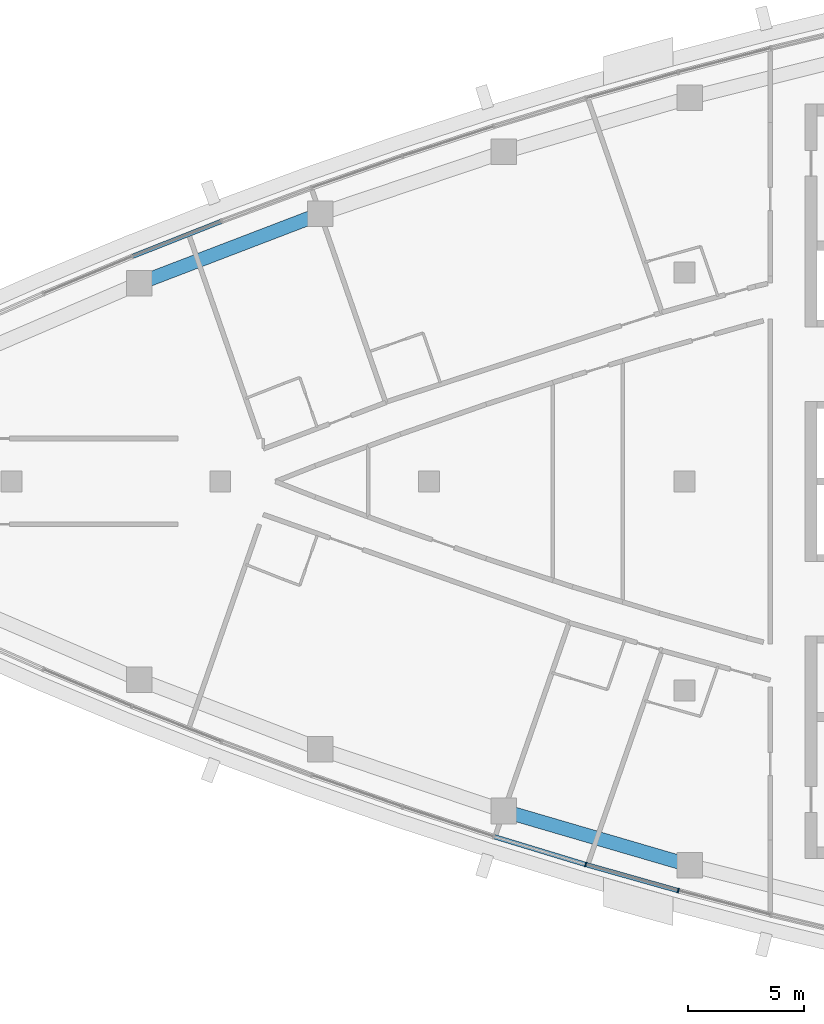
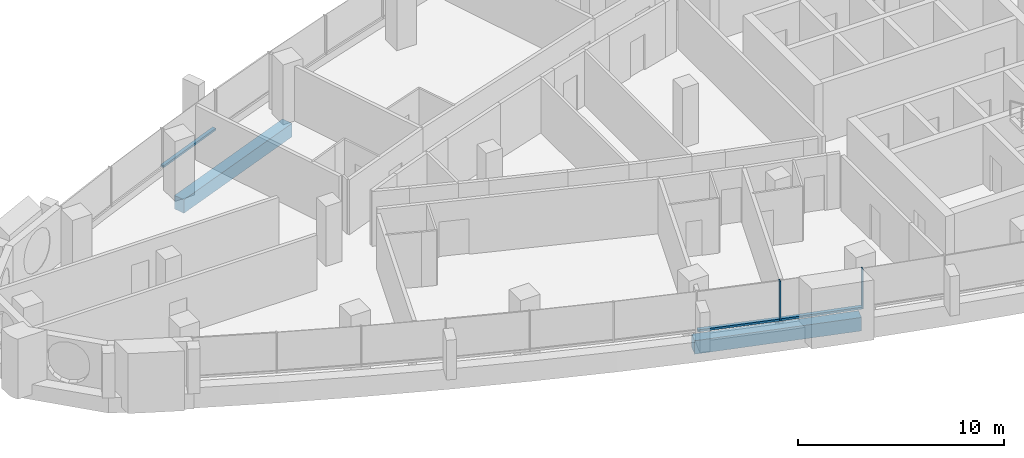
# One storey, part 3 of 14: 5 members, 2 beams, 2 elements without a shape of their own.
"""IFC4 building model written with IfcOpenShell, lengths in metres."""

from ifc_helpers import new_model, si_unit, direction, frame, origin, origin_2d, place, context, subcontext, project, spatial, rectangle, extrude, material, layer, layer_set, material_profile, profile_set, type_object, element, aggregate, save


model = new_model("IFC4")

# Units and contexts
model_context = context("Model", 3, precision=1e-05, world=origin(), true_north=direction((0.0, 1.0)))
body_context = subcontext(model_context, "Body", "Model", "MODEL_VIEW")
ifc_project = project(units=[si_unit("LENGTHUNIT", "METRE"), si_unit("AREAUNIT", "SQUARE_METRE"), si_unit("VOLUMEUNIT", "CUBIC_METRE"), si_unit("PLANEANGLEUNIT", "RADIAN"), si_unit("MASSUNIT", "GRAM", prefix="KILO")], contexts=[model_context])

# Site, building, storey
site_placement = place(None, origin())
site = spatial("IfcSite", under=ifc_project, at=site_placement, CompositionType="ELEMENT")
building_placement = place(site_placement, origin())
building = spatial("IfcBuilding", under=site, at=building_placement, Name="Ostrand Prow Hotel Tower", CompositionType="ELEMENT")
storey_placement = place(building_placement, frame((0.0, 0.0, 267.89990234375)))
storey = spatial("IfcBuildingStorey", under=building, at=storey_placement, Name="L67", CompositionType="ELEMENT", Elevation=267.89990234375)

# Beams
ifc_material_1 = material(Name="Concrete C50/60", Category="concrete")
ifc_material_profile_1 = material_profile(ifc_material_1, rectangle(XDim=0.60009765625, YDim=0.800048828125, at=origin_2d()), Name="RC 600x800")
ifc_profile_set_1 = profile_set([ifc_material_profile_1], Name="Concrete C50/60")
beam_type = type_object("IfcBeamType", Name="Edge beam 600x800 C50/60", PredefinedType="SPANDREL", material=ifc_profile_set_1)
for number, where, z_axis, x_axis, name in (
    (1, (37.22119140625, -14.19580078125, -0.699951171875), (0.959821966031, -0.280609681809, 0.0), (0.280609681809, 0.959821966031, 0.0), "Edge beam S4-S5"),
    (2, (29.31005859375, 11.528076171875, -0.699951171875), (-0.933761753797, -0.357895218111, 0.0), (0.357895218111, -0.933761753797, 0.0), "Edge beam N4-N5"),
):
    element("IfcBeam", number, at=place(storey_placement, frame(where, z_axis=z_axis, x_axis=x_axis)), inside=storey, type_object=beam_type, Name=name, PredefinedType="SPANDREL", context=body_context, shape_type="SweptSolid", body=[
        extrude(rectangle(XDim=0.60009765625, YDim=0.800048828125, at=origin_2d()), origin(), (0.0, 0.0, 1.0), 8.348876953125),
    ])

# Curtain wall, members
ifc_material_2 = material(Name="Insulated glass in bronze anodised frame", Category="glass")
ifc_layer = layer(ifc_material_2, 0.199951171875)
ifc_layer_set = layer_set([ifc_layer], Name="Insulated glass in bronze anodised frame")
curtain_wall_type = type_object("IfcCurtainWallType", Name="Strip curtain wall, fritted glass over bronze spandrel", PredefinedType="NOTDEFINED", material=ifc_layer_set)
curtain_wall_1_placement = place(storey_placement, origin())
curtain_wall_1 = element("IfcCurtainWall", 3, at=curtain_wall_1_placement, inside=storey, type_object=curtain_wall_type, Name="CW1 run CWS4", PredefinedType="NOTDEFINED")
ifc_material_3 = material(Name="Bronze anodised aluminium", Category="aluminium")
ifc_material_profile_2 = material_profile(ifc_material_3, rectangle(XDim=0.199951171875, YDim=0.06005859375, at=origin_2d()), Name="Mullion 60x200 bronze anodised aluminium")
ifc_profile_set_2 = profile_set([ifc_material_profile_2], Name="Bronze anodised aluminium")
member_type_1 = type_object("IfcMemberType", Name="Mullion 60x200 bronze anodised aluminium", PredefinedType="MULLION", material=ifc_profile_set_2)
member_1_placement = place(storey_placement, frame((40.744384765625, -16.502197265625, 0.900146484375), z_axis=(0.0, 0.0, 1.0), x_axis=(0.271648738865, 0.962396468548, 0.0)))
member_1 = element("IfcMember", 4, at=member_1_placement, type_object=member_type_1, Name="CW1 mullion 2", PredefinedType="MULLION", context=body_context, shape_type="SweptSolid", body=[
    extrude(rectangle(XDim=0.199951171875, YDim=0.06005859375, at=origin_2d()), origin(), (0.0, 0.0, 1.0), 2.349853515625),
])
member_2_placement = place(storey_placement, frame((44.728515625, -17.626708984375, 0.900146484375), z_axis=(0.0, 0.0, 1.0), x_axis=(0.271648738865, 0.962396468548, 0.0)))
member_2 = element("IfcMember", 5, at=member_2_placement, type_object=member_type_1, Name="CW1 mullion 3", PredefinedType="MULLION", context=body_context, shape_type="SweptSolid", body=[
    extrude(rectangle(XDim=0.199951171875, YDim=0.06005859375, at=origin_2d()), origin(), (0.0, 0.0, 1.0), 2.349853515625),
])
ifc_material_4 = material(Name="Bronze anodised aluminium", Category="aluminium")
ifc_material_profile_3 = material_profile(ifc_material_4, rectangle(XDim=0.199951171875, YDim=0.1201171875, at=origin_2d()), Name="Transom 120x200 bronze anodised aluminium")
ifc_profile_set_3 = profile_set([ifc_material_profile_3], Name="Bronze anodised aluminium")
member_type_2 = type_object("IfcMemberType", Name="Transom 120x200 bronze anodised aluminium", PredefinedType="USERDEFINED", material=ifc_profile_set_3)
member_3_placement = place(storey_placement, frame((36.8125, -15.306396484375, 0.960205078125), z_axis=(0.956739081124, -0.290947298751, 0.0), x_axis=(0.290947298751, 0.956739081124, 0.0)))
member_3 = element("IfcMember", 6, at=member_3_placement, type_object=member_type_2, Name="CW1 transom 1.1", ObjectType="TRANSOM", PredefinedType="USERDEFINED", context=body_context, shape_type="SweptSolid", body=[
    extrude(rectangle(XDim=0.199951171875, YDim=0.1201171875, at=origin_2d()), origin(), (0.0, 0.0, 1.0), 4.079833984375),
])
member_4_placement = place(storey_placement, frame((40.7734375, -16.51025390625, 0.960205078125), z_axis=(0.962386308628, -0.271684730828, 0.0), x_axis=(0.271684730828, 0.962386308628, 0.0)))
member_4 = element("IfcMember", 7, at=member_4_placement, type_object=member_type_2, Name="CW1 transom 2.1", ObjectType="TRANSOM", PredefinedType="USERDEFINED", context=body_context, shape_type="SweptSolid", body=[
    extrude(rectangle(XDim=0.199951171875, YDim=0.1201171875, at=origin_2d()), origin(), (0.0, 0.0, 1.0), 4.079833984375),
])
aggregate(curtain_wall_1, [member_1, member_2, member_3, member_4])

# Curtain wall, member
curtain_wall_2_placement = place(storey_placement, origin())
curtain_wall_2 = element("IfcCurtainWall", 8, at=curtain_wall_2_placement, inside=storey, type_object=curtain_wall_type, Name="CW1 run CWN4", PredefinedType="NOTDEFINED")
member_5_placement = place(storey_placement, frame((25.0302734375, 11.19921875, 0.960205078125), z_axis=(-0.930289613186, -0.366825892759, 0.0), x_axis=(0.366825892759, -0.930289613186, 0.0)))
member_5 = element("IfcMember", 9, at=member_5_placement, type_object=member_type_2, Name="CW1 transom 2.1", ObjectType="TRANSOM", PredefinedType="USERDEFINED", context=body_context, shape_type="SweptSolid", body=[
    extrude(rectangle(XDim=0.199951171875, YDim=0.1201171875, at=origin_2d()), origin(), (0.0, 0.0, 1.0), 4.079833984375),
])
aggregate(curtain_wall_2, [member_5])

save(model, "model.ifc")
